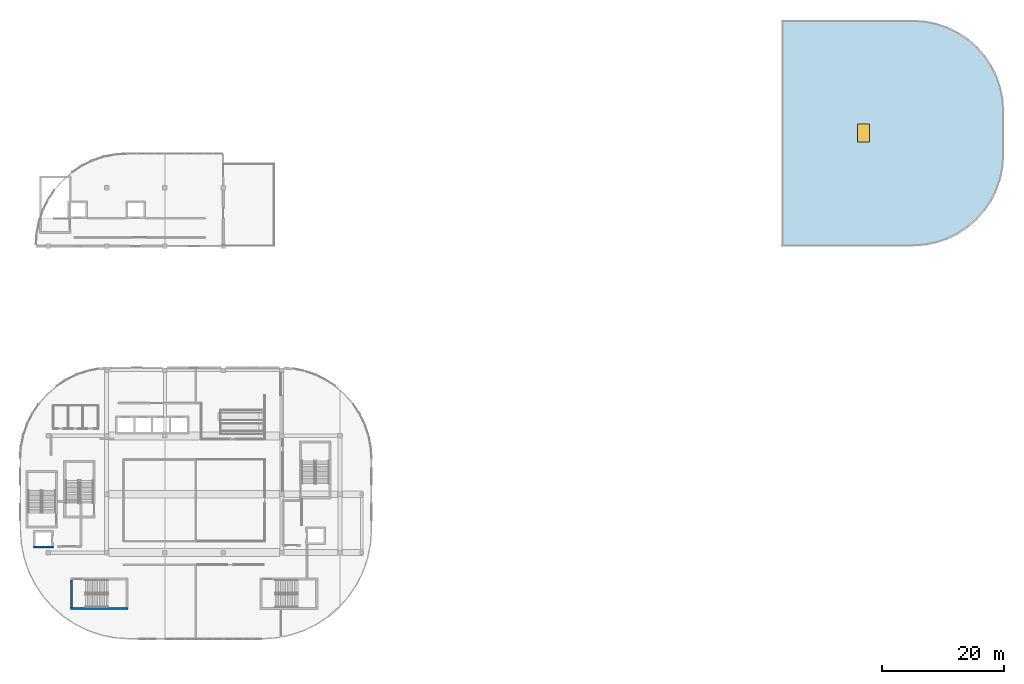
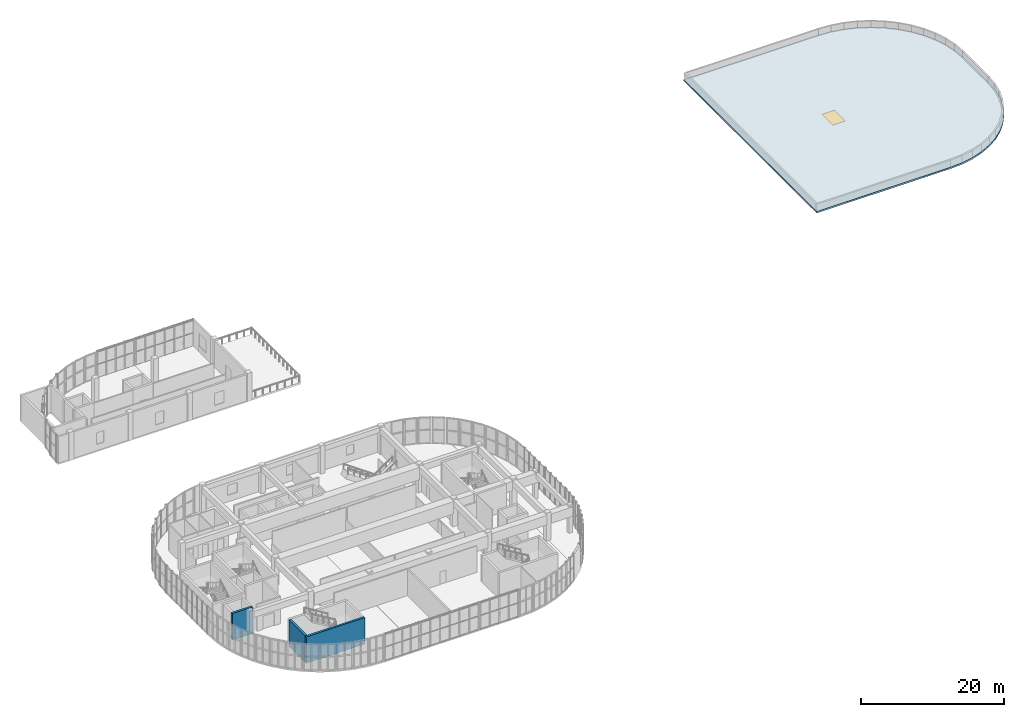
# One storey, part 20 of 28: 3 walls, 1 slab, 1 window, 1 opening.
"""IFC4 building model written with IfcOpenShell, lengths in metres."""

from ifc_helpers import new_model, si_unit, direction, frame, frame_2d, origin, origin_2d, place, context, subcontext, project, spatial, polyline, rectangle, outline, extrude, material, layer, layer_set, type_object, element, fill, save


model = new_model("IFC4")

# Units and contexts
model_context = context("Model", 3, precision=1e-05, world=origin(), true_north=direction((0.0, 1.0)))
body_context = subcontext(model_context, "Body", "Model", "MODEL_VIEW")
ifc_project = project(units=[si_unit("LENGTHUNIT", "METRE"), si_unit("AREAUNIT", "SQUARE_METRE"), si_unit("VOLUMEUNIT", "CUBIC_METRE"), si_unit("PLANEANGLEUNIT", "RADIAN"), si_unit("MASSUNIT", "GRAM", prefix="KILO")], contexts=[model_context])

# Site, building, storey
site_placement = place(None, origin())
site = spatial("IfcSite", under=ifc_project, at=site_placement, CompositionType="ELEMENT")
building_placement = place(site_placement, origin())
building = spatial("IfcBuilding", under=site, at=building_placement, Name="Cendralis Terraced Arcade", CompositionType="ELEMENT")
storey_placement = place(building_placement, frame((0.0, 0.0, 24.60009765625)))
storey = spatial("IfcBuildingStorey", under=building, at=storey_placement, Name="L05", CompositionType="ELEMENT", Elevation=24.60009765625)

# Slab, opening, window
ifc_material_1 = material(Name="Concrete f'c 35 MPa", Category="concrete")
ifc_layer_1 = layer(ifc_material_1, 0.27490234375, Name="SLB-ROOF-275")
ifc_layer_set_1 = layer_set([ifc_layer_1], Name="Concrete f'c 35 MPa")
slab_type = type_object("IfcSlabType", Name="SLB-ROOF-275", PredefinedType="ROOF", material=ifc_layer_set_1)
slab_placement = place(storey_placement, frame((0.0, 0.0, -0.275146484375)))
slab = element("IfcSlab", 1, at=slab_placement, inside=storey, type_object=slab_type, Name="Insulated Flat Concrete Roof Slab ROOF-FLAT-L05-1", PredefinedType="ROOF", context=body_context, shape_type="SweptSolid", body=[
    extrude(outline(polyline([(155.682373046875, 106.288818359375), (157.540283203125, 105.658203125), (159.300048828125, 104.790283203125), (160.931396484375, 103.7001953125), (162.406494140625, 102.406494140625), (163.7001953125, 100.931396484375), (164.790283203125, 99.300048828125), (165.658203125, 97.540283203125), (166.288818359375, 95.682373046875), (166.671630859375, 93.7578125), (166.800048828125, 91.800048828125), (166.800048828125, 84.60009765625), (166.671630859375, 82.64208984375), (166.288818359375, 80.7177734375), (165.658203125, 78.859619140625), (164.790283203125, 77.10009765625), (163.7001953125, 75.468505859375), (162.406494140625, 73.993408203125), (160.931396484375, 72.69970703125), (159.300048828125, 71.609619140625), (157.540283203125, 70.74169921875), (155.682373046875, 70.111083984375), (153.7578125, 69.728271484375), (151.800048828125, 69.60009765625), (130.199951171875, 69.60009765625), (130.199951171875, 106.800048828125), (151.800048828125, 106.800048828125), (153.7578125, 106.671630859375), (155.682373046875, 106.288818359375)])), origin(), (0.0, 0.0, 1.0), 0.275146484375),
])
opening_placement = place(slab_placement, frame((143.699951171875, 88.23388671875, 0.0)))
opening = element("IfcOpeningElement", 2, at=opening_placement, cuts=slab, Name="Opening SK-02", PredefinedType="OPENING", context=body_context, shape_type="SweptSolid", body=[
    extrude(rectangle(XDim=2.0, YDim=3.0, at=origin_2d()), frame((0.0, 0.0, -0.011962890625)), (0.0, 0.0, 1.0), 0.299072265625),
])
ifc_material_2 = material(Name="Tempered solar control laminated glass", Category="glass")
window_type = type_object("IfcWindowType", Name="SKY-2000x3000", PartitioningType="SINGLE_PANEL", PredefinedType="SKYLIGHT", material=ifc_material_2)
window_placement = place(opening_placement, frame((0.0, 0.0, 0.22509765625)))
window = element("IfcWindow", 3, at=window_placement, inside=storey, type_object=window_type, Name="Insulated Laminated Glass Roof Skylight SKY-L05-06", OverallHeight=3.0, OverallWidth=2.0, PartitioningType="SINGLE_PANEL", PredefinedType="SKYLIGHT", context=body_context, shape_type="SweptSolid", body=[
    extrude(rectangle(XDim=2.0, YDim=3.0, at=origin_2d()), origin(), (0.0, 0.0, 1.0), 0.050048828125),
])
fill(opening, window)

# Walls
ifc_material_3 = material(Name="Concrete f'c 42 MPa", Category="concrete")
ifc_layer_2 = layer(ifc_material_3, 0.340087890625, Name="WL-CORE-340")
ifc_layer_set_2 = layer_set([ifc_layer_2], Name="Concrete f'c 42 MPa")
wall_type = type_object("IfcWallType", Name="WL-CORE-340", PredefinedType="SHEAR", material=ifc_layer_set_2)
wall_1_placement = place(storey_placement, frame((13.260009765625, 10.030029296875, 0.0), z_axis=(0.0, 0.0, 1.0), x_axis=(1.0, 0.0, 0.0)))
element("IfcWall", 4, at=wall_1_placement, inside=storey, type_object=wall_type, Name="Stair Core Reinforced Concrete Shear Wall SW-ST-02-L05-S", PredefinedType="SHEAR", context=body_context, shape_type="SweptSolid", body=[
    extrude(rectangle(XDim=9.47998046875, YDim=0.340087890625, at=frame_2d((4.739990234375, 0.0))), origin(), (0.0, 0.0, 1.0), 4.510009765625),
])
wall_2_placement = place(storey_placement, frame((13.429931640625, 10.199951171875, 0.0), z_axis=(0.0, 0.0, 1.0), x_axis=(0.0, 1.0, 0.0)))
element("IfcWall", 5, at=wall_2_placement, inside=storey, type_object=wall_type, Name="Stair Core Reinforced Concrete Shear Wall SW-ST-02-L05-W", PredefinedType="SHEAR", context=body_context, shape_type="SweptSolid", body=[
    extrude(rectangle(XDim=4.5, YDim=0.340087890625, at=frame_2d((2.25, 0.0))), origin(), (0.0, 0.0, 1.0), 4.510009765625),
])
wall_3_placement = place(storey_placement, frame((7.159912109375, 20.1298828125, 0.0), z_axis=(0.0, 0.0, 1.0), x_axis=(1.0, 0.0, 0.0)))
element("IfcWall", 6, at=wall_3_placement, inside=storey, type_object=wall_type, Name="Lift FFL-01 Reinforced Concrete Shaft Wall (L05)", PredefinedType="SHEAR", context=body_context, shape_type="SweptSolid", body=[
    extrude(rectangle(XDim=3.280029296875, YDim=0.340087890625, at=frame_2d((1.64013671875, 0.0))), origin(), (0.0, 0.0, 1.0), 4.510009765625),
])

save(model, "model.ifc")
